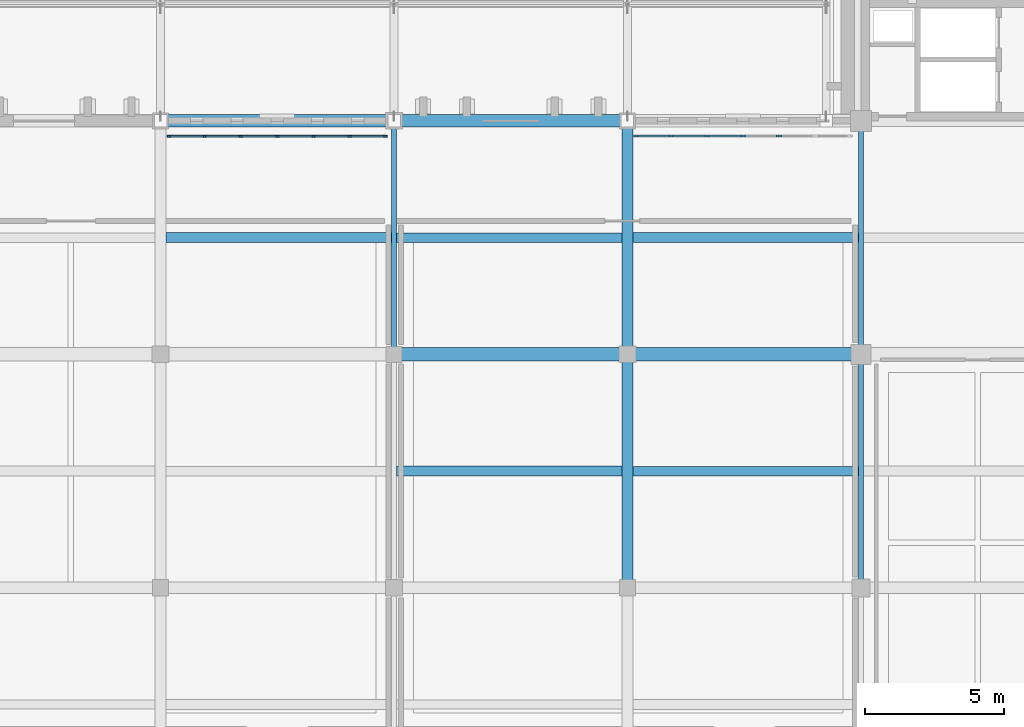
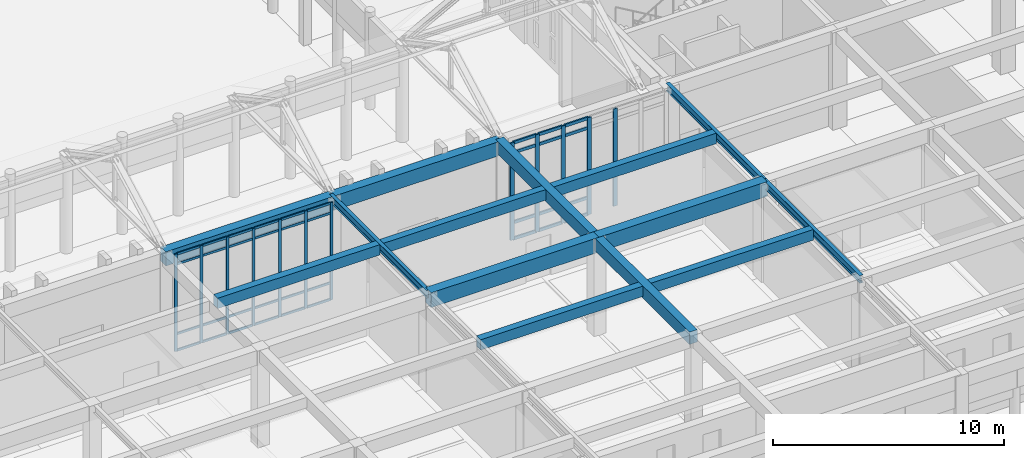
# One storey, part 36 of 143: 48 members, 14 beams, 2 elements without a shape of their own.
"""IFC4 building model written with IfcOpenShell, lengths in metres."""

from ifc_helpers import new_model, si_unit, direction, frame, origin, origin_2d, place, context, subcontext, project, spatial, rectangle, i_section, extrude, material, layer, layer_set, material_profile, profile_set, type_object, element, aggregate, save


model = new_model("IFC4")

# Units and contexts
model_context = context("Model", 3, precision=1e-05, world=origin(), true_north=direction((0.0, 1.0)))
body_context = subcontext(model_context, "Body", "Model", "MODEL_VIEW")
ifc_project = project(units=[si_unit("LENGTHUNIT", "METRE"), si_unit("AREAUNIT", "SQUARE_METRE"), si_unit("VOLUMEUNIT", "CUBIC_METRE"), si_unit("PLANEANGLEUNIT", "RADIAN"), si_unit("MASSUNIT", "GRAM", prefix="KILO")], contexts=[model_context])

# Site, building, storey
site_placement = place(None, origin())
site = spatial("IfcSite", under=ifc_project, at=site_placement, CompositionType="ELEMENT")
building_placement = place(site_placement, origin())
building = spatial("IfcBuilding", under=site, at=building_placement, Name="Kveldsbrygga Polytechnic", CompositionType="ELEMENT")
storey_placement = place(building_placement, origin())
storey = spatial("IfcBuildingStorey", under=building, at=storey_placement, Name="L00", CompositionType="ELEMENT", Elevation=0.0)

# Beams
ifc_material_1 = material(Name="Concrete C35/45", Category="concrete")
ifc_material_profile_1 = material_profile(ifc_material_1, rectangle(XDim=0.39990234375, YDim=0.64990234375, at=origin_2d()), Name="RC 400x650")
ifc_profile_set_1 = profile_set([ifc_material_profile_1], Name="Concrete C35/45")
beam_type_1 = type_object("IfcBeamType", Name="BM-RC-400x650", PredefinedType="BEAM", material=ifc_profile_set_1)
beam_1_placement = place(storey_placement, frame((117.60009765625, 8.39990234375, 4.81494140625), z_axis=(0.0, 1.0, 0.0), x_axis=(-1.0, 0.0, 0.0)))
element("IfcBeam", 1, at=beam_1_placement, inside=storey, type_object=beam_type_1, Name="Primary Beam BMY-L00-14-01to02", PredefinedType="BEAM", context=body_context, shape_type="SweptSolid", body=[
    extrude(rectangle(XDim=0.39990234375, YDim=0.64990234375, at=origin_2d()), origin(), (0.0, 0.0, 1.0), 8.400146484375),
])
beam_2_placement = place(storey_placement, frame((117.60009765625, 16.800048828125, 4.81494140625), z_axis=(0.0, 1.0, 0.0), x_axis=(-1.0, 0.0, 0.0)))
element("IfcBeam", 2, at=beam_2_placement, inside=storey, type_object=beam_type_1, Name="Primary Beam BMY-L00-14-02to03", PredefinedType="BEAM", context=body_context, shape_type="SweptSolid", body=[
    extrude(rectangle(XDim=0.39990234375, YDim=0.64990234375, at=origin_2d()), origin(), (0.0, 0.0, 1.0), 8.39990234375),
])
ifc_material_profile_2 = material_profile(ifc_material_1, rectangle(XDim=0.449951171875, YDim=0.75, at=origin_2d()), Name="RC 450x750")
ifc_profile_set_2 = profile_set([ifc_material_profile_2], Name="Concrete C35/45")
beam_type_2 = type_object("IfcBeamType", Name="BM-RC-450x750", PredefinedType="BEAM", material=ifc_profile_set_2)
beam_3_placement = place(storey_placement, frame((100.800048828125, 25.199951171875, 4.764892578125), z_axis=(1.0, 0.0, 0.0), x_axis=(0.0, 1.0, 0.0)))
element("IfcBeam", 3, at=beam_3_placement, inside=storey, type_object=beam_type_2, Name="Primary Beam BMX-L00-12to13-03", PredefinedType="BEAM", context=body_context, shape_type="SweptSolid", body=[
    extrude(rectangle(XDim=0.449951171875, YDim=0.75, at=origin_2d()), origin(), (0.0, 0.0, 1.0), 8.39990234375),
])
beam_4_placement = place(storey_placement, frame((109.199951171875, 25.199951171875, 4.764892578125), z_axis=(1.0, 0.0, 0.0), x_axis=(0.0, 1.0, 0.0)))
element("IfcBeam", 4, at=beam_4_placement, inside=storey, type_object=beam_type_2, Name="Primary Beam BMX-L00-13to14-03", PredefinedType="BEAM", context=body_context, shape_type="SweptSolid", body=[
    extrude(rectangle(XDim=0.449951171875, YDim=0.75, at=origin_2d()), origin(), (0.0, 0.0, 1.0), 8.400146484375),
])
ifc_material_profile_3 = material_profile(ifc_material_1, rectangle(XDim=0.47998046875, YDim=0.780029296875, at=origin_2d()), Name="RC 480x780")
ifc_profile_set_3 = profile_set([ifc_material_profile_3], Name="Concrete C35/45")
beam_type_3 = type_object("IfcBeamType", Name="BM-RC-480x780", PredefinedType="BEAM", material=ifc_profile_set_3)
beam_5_placement = place(storey_placement, frame((109.199951171875, 16.800048828125, 4.75), z_axis=(1.0, 0.0, 0.0), x_axis=(0.0, 1.0, 0.0)))
element("IfcBeam", 5, at=beam_5_placement, inside=storey, type_object=beam_type_3, Name="Primary Beam BMX-L00-13to14-02", PredefinedType="BEAM", context=body_context, shape_type="SweptSolid", body=[
    extrude(rectangle(XDim=0.47998046875, YDim=0.780029296875, at=origin_2d()), origin(), (0.0, 0.0, 1.0), 8.400146484375),
])
beam_6_placement = place(storey_placement, frame((117.60009765625, 16.800048828125, 4.75), z_axis=(1.0, 0.0, 0.0), x_axis=(0.0, 1.0, 0.0)))
element("IfcBeam", 6, at=beam_6_placement, inside=storey, type_object=beam_type_3, Name="Primary Beam BMX-L00-14to15-02", PredefinedType="BEAM", context=body_context, shape_type="SweptSolid", body=[
    extrude(rectangle(XDim=0.47998046875, YDim=0.780029296875, at=origin_2d()), origin(), (0.0, 0.0, 1.0), 8.39990234375),
])
ifc_material_2 = material(Name="Steel S355", Category="steel")
ifc_material_profile_4 = material_profile(ifc_material_2, i_section(OverallWidth=0.179931640625, OverallDepth=0.39990234375, WebThickness=0.008544921875, FlangeThickness=0.013427734375, FilletRadius=0.02099609375, at=origin_2d()), Name="IPE 400")
ifc_profile_set_4 = profile_set([ifc_material_profile_4], Name="Steel S355")
beam_type_4 = type_object("IfcBeamType", Name="BM-STL-IPE400", PredefinedType="BEAM", material=ifc_profile_set_4)
beam_7_placement = place(storey_placement, frame((109.199951171875, 16.800048828125, 4.93994140625), z_axis=(0.0, 1.0, 0.0), x_axis=(-1.0, 0.0, 0.0)))
element("IfcBeam", 7, at=beam_7_placement, inside=storey, type_object=beam_type_4, Name="Primary Beam BMY-L00-13-02to03", PredefinedType="BEAM", context=body_context, shape_type="SweptSolid", body=[
    extrude(i_section(OverallWidth=0.179931640625, OverallDepth=0.39990234375, WebThickness=0.008544921875, FlangeThickness=0.013427734375, FilletRadius=0.02099609375, at=origin_2d()), origin(), (0.0, 0.0, 1.0), 8.39990234375),
])
beam_8_placement = place(storey_placement, frame((126.0, 8.39990234375, 4.93994140625), z_axis=(0.0, 1.0, 0.0), x_axis=(-1.0, 0.0, 0.0)))
element("IfcBeam", 8, at=beam_8_placement, inside=storey, type_object=beam_type_4, Name="Primary Beam BMY-L00-15-01to02", PredefinedType="BEAM", context=body_context, shape_type="SweptSolid", body=[
    extrude(i_section(OverallWidth=0.179931640625, OverallDepth=0.39990234375, WebThickness=0.008544921875, FlangeThickness=0.013427734375, FilletRadius=0.02099609375, at=origin_2d()), origin(), (0.0, 0.0, 1.0), 8.400146484375),
])
beam_9_placement = place(storey_placement, frame((126.0, 16.800048828125, 4.93994140625), z_axis=(0.0, 1.0, 0.0), x_axis=(-1.0, 0.0, 0.0)))
element("IfcBeam", 9, at=beam_9_placement, inside=storey, type_object=beam_type_4, Name="Primary Beam BMY-L00-15-02to03", PredefinedType="BEAM", context=body_context, shape_type="SweptSolid", body=[
    extrude(i_section(OverallWidth=0.179931640625, OverallDepth=0.39990234375, WebThickness=0.008544921875, FlangeThickness=0.013427734375, FilletRadius=0.02099609375, at=origin_2d()), origin(), (0.0, 0.0, 1.0), 8.39990234375),
])

# Curtain wall, members
ifc_material_3 = material(Name="Anodised aluminium AW-6060", Category="aluminium")
ifc_layer_1 = layer(ifc_material_3, 0.179931640625)
ifc_layer_set_1 = layer_set([ifc_layer_1], Name="Anodised aluminium AW-6060")
curtain_wall_type_1 = type_object("IfcCurtainWallType", Name="CW-CONC-A", PredefinedType="USERDEFINED", material=ifc_layer_set_1)
curtain_wall_1_placement = place(storey_placement, origin())
curtain_wall_1 = element("IfcCurtainWall", 10, at=curtain_wall_1_placement, inside=storey, type_object=curtain_wall_type_1, Name="Curtain Wall CW-L00-X-12-03", ObjectType="UNITISED CURTAIN WALL", PredefinedType="USERDEFINED")
ifc_material_profile_5 = material_profile(ifc_material_3, rectangle(XDim=0.06005859375, YDim=0.139892578125, at=origin_2d()), Name="ALU 60x140")
ifc_profile_set_5 = profile_set([ifc_material_profile_5], Name="Anodised aluminium AW-6060")
member_type_1 = type_object("IfcMemberType", Name="CW-MUL-140", PredefinedType="MULLION", material=ifc_profile_set_5)
member_1_placement = place(storey_placement, frame((101.10498046875, 24.64990234375, 0.0), z_axis=(0.0, 0.0, 1.0), x_axis=(0.0, 1.0, 0.0)))
member_1 = element("IfcMember", 11, at=member_1_placement, type_object=member_type_1, Name="CW-01 mullion 1", PredefinedType="MULLION", context=body_context, shape_type="SweptSolid", body=[
    extrude(rectangle(XDim=0.06005859375, YDim=0.139892578125, at=origin_2d()), origin(), (0.0, 0.0, 1.0), 5.139892578125),
])
member_2_placement = place(storey_placement, frame((102.381591796875, 24.64990234375, 0.0), z_axis=(0.0, 0.0, 1.0), x_axis=(0.0, 1.0, 0.0)))
member_2 = element("IfcMember", 12, at=member_2_placement, type_object=member_type_1, Name="CW-01 mullion 2", PredefinedType="MULLION", context=body_context, shape_type="SweptSolid", body=[
    extrude(rectangle(XDim=0.06005859375, YDim=0.139892578125, at=origin_2d()), origin(), (0.0, 0.0, 1.0), 5.139892578125),
])
member_3_placement = place(storey_placement, frame((103.688232421875, 24.64990234375, 0.0), z_axis=(0.0, 0.0, 1.0), x_axis=(0.0, 1.0, 0.0)))
member_3 = element("IfcMember", 13, at=member_3_placement, type_object=member_type_1, Name="CW-01 mullion 3", PredefinedType="MULLION", context=body_context, shape_type="SweptSolid", body=[
    extrude(rectangle(XDim=0.06005859375, YDim=0.139892578125, at=origin_2d()), origin(), (0.0, 0.0, 1.0), 5.139892578125),
])
member_4_placement = place(storey_placement, frame((104.9951171875, 24.64990234375, 0.0), z_axis=(0.0, 0.0, 1.0), x_axis=(0.0, 1.0, 0.0)))
member_4 = element("IfcMember", 14, at=member_4_placement, type_object=member_type_1, Name="CW-01 mullion 4", PredefinedType="MULLION", context=body_context, shape_type="SweptSolid", body=[
    extrude(rectangle(XDim=0.06005859375, YDim=0.139892578125, at=origin_2d()), origin(), (0.0, 0.0, 1.0), 5.139892578125),
])
member_5_placement = place(storey_placement, frame((106.3017578125, 24.64990234375, 0.0), z_axis=(0.0, 0.0, 1.0), x_axis=(0.0, 1.0, 0.0)))
member_5 = element("IfcMember", 15, at=member_5_placement, type_object=member_type_1, Name="CW-01 mullion 5", PredefinedType="MULLION", context=body_context, shape_type="SweptSolid", body=[
    extrude(rectangle(XDim=0.06005859375, YDim=0.139892578125, at=origin_2d()), origin(), (0.0, 0.0, 1.0), 5.139892578125),
])
member_6_placement = place(storey_placement, frame((107.6083984375, 24.64990234375, 0.0), z_axis=(0.0, 0.0, 1.0), x_axis=(0.0, 1.0, 0.0)))
member_6 = element("IfcMember", 16, at=member_6_placement, type_object=member_type_1, Name="CW-01 mullion 6", PredefinedType="MULLION", context=body_context, shape_type="SweptSolid", body=[
    extrude(rectangle(XDim=0.06005859375, YDim=0.139892578125, at=origin_2d()), origin(), (0.0, 0.0, 1.0), 5.139892578125),
])
member_7_placement = place(storey_placement, frame((108.885009765625, 24.64990234375, 0.0), z_axis=(0.0, 0.0, 1.0), x_axis=(0.0, 1.0, 0.0)))
member_7 = element("IfcMember", 17, at=member_7_placement, type_object=member_type_1, Name="CW-01 mullion 7", PredefinedType="MULLION", context=body_context, shape_type="SweptSolid", body=[
    extrude(rectangle(XDim=0.06005859375, YDim=0.139892578125, at=origin_2d()), origin(), (0.0, 0.0, 1.0), 5.139892578125),
])

ifc_layer_2 = layer(ifc_material_3, 0.159912109375)
ifc_layer_set_2 = layer_set([ifc_layer_2], Name="Anodised aluminium AW-6060")
curtain_wall_type_2 = type_object("IfcCurtainWallType", Name="CW-CLER-C", PredefinedType="USERDEFINED", material=ifc_layer_set_2)
curtain_wall_2_placement = place(storey_placement, origin())
curtain_wall_2 = element("IfcCurtainWall", 18, at=curtain_wall_2_placement, inside=storey, type_object=curtain_wall_type_2, Name="Curtain Wall CW-L00-X-14-03", ObjectType="STICK CURTAIN WALL", PredefinedType="USERDEFINED")
ifc_material_profile_6 = material_profile(ifc_material_3, rectangle(XDim=0.074951171875, YDim=0.199951171875, at=origin_2d()), Name="ALU 75x200")
ifc_profile_set_6 = profile_set([ifc_material_profile_6], Name="Anodised aluminium AW-6060")
member_type_2 = type_object("IfcMemberType", Name="CW-MUL-200", PredefinedType="MULLION", material=ifc_profile_set_6)
member_8_placement = place(storey_placement, frame((117.91259765625, 24.64990234375, 0.0), z_axis=(0.0, 0.0, 1.0), x_axis=(0.0, 1.0, 0.0)))
member_8 = element("IfcMember", 19, at=member_8_placement, type_object=member_type_2, Name="CW-03 mullion 1", PredefinedType="MULLION", context=body_context, shape_type="SweptSolid", body=[
    extrude(rectangle(XDim=0.074951171875, YDim=0.199951171875, at=origin_2d()), origin(), (0.0, 0.0, 1.0), 5.139892578125),
])
member_9_placement = place(storey_placement, frame((119.169189453125, 24.64990234375, 0.0), z_axis=(0.0, 0.0, 1.0), x_axis=(0.0, 1.0, 0.0)))
member_9 = element("IfcMember", 20, at=member_9_placement, type_object=member_type_2, Name="CW-03 mullion 2", PredefinedType="MULLION", context=body_context, shape_type="SweptSolid", body=[
    extrude(rectangle(XDim=0.074951171875, YDim=0.199951171875, at=origin_2d()), origin(), (0.0, 0.0, 1.0), 5.139892578125),
])
member_10_placement = place(storey_placement, frame((120.46337890625, 24.64990234375, 0.0), z_axis=(0.0, 0.0, 1.0), x_axis=(0.0, 1.0, 0.0)))
member_10 = element("IfcMember", 21, at=member_10_placement, type_object=member_type_2, Name="CW-03 mullion 3", PredefinedType="MULLION", context=body_context, shape_type="SweptSolid", body=[
    extrude(rectangle(XDim=0.074951171875, YDim=0.199951171875, at=origin_2d()), origin(), (0.0, 0.0, 1.0), 5.139892578125),
])
member_11_placement = place(storey_placement, frame((121.757568359375, 24.64990234375, 0.0), z_axis=(0.0, 0.0, 1.0), x_axis=(0.0, 1.0, 0.0)))
member_11 = element("IfcMember", 22, at=member_11_placement, type_object=member_type_2, Name="CW-03 mullion 4", PredefinedType="MULLION", context=body_context, shape_type="SweptSolid", body=[
    extrude(rectangle(XDim=0.074951171875, YDim=0.199951171875, at=origin_2d()), origin(), (0.0, 0.0, 1.0), 5.139892578125),
])
member_12_placement = place(storey_placement, frame((123.0517578125, 24.64990234375, 0.0), z_axis=(0.0, 0.0, 1.0), x_axis=(0.0, 1.0, 0.0)))
member_12 = element("IfcMember", 23, at=member_12_placement, type_object=member_type_2, Name="CW-03 mullion 5", PredefinedType="MULLION", context=body_context, shape_type="SweptSolid", body=[
    extrude(rectangle(XDim=0.074951171875, YDim=0.199951171875, at=origin_2d()), origin(), (0.0, 0.0, 1.0), 5.139892578125),
])

# Member
ifc_material_profile_7 = material_profile(ifc_material_3, rectangle(XDim=0.06005859375, YDim=0.1201171875, at=origin_2d()), Name="ALU 60x120")
ifc_profile_set_7 = profile_set([ifc_material_profile_7], Name="Anodised aluminium AW-6060")
member_type_3 = type_object("IfcMemberType", Name="CW-TRN-120", PredefinedType="USERDEFINED", material=ifc_profile_set_7)
member_13_placement = place(storey_placement, frame((101.135009765625, 24.64990234375, 0.030029296875), z_axis=(1.0, 0.0, 0.0), x_axis=(0.0, 1.0, 0.0)))
member_13 = element("IfcMember", 24, at=member_13_placement, type_object=member_type_3, Name="CW-01 transom 1.1", ObjectType="TRANSOM", PredefinedType="USERDEFINED", context=body_context, shape_type="SweptSolid", body=[
    extrude(rectangle(XDim=0.06005859375, YDim=0.1201171875, at=origin_2d()), origin(), (0.0, 0.0, 1.0), 1.216552734375),
])

member_14_placement = place(storey_placement, frame((101.135009765625, 24.64990234375, 0.89990234375), z_axis=(1.0, 0.0, 0.0), x_axis=(0.0, 1.0, 0.0)))
member_14 = element("IfcMember", 25, at=member_14_placement, type_object=member_type_3, Name="CW-01 transom 1.2", ObjectType="TRANSOM", PredefinedType="USERDEFINED", context=body_context, shape_type="SweptSolid", body=[
    extrude(rectangle(XDim=0.06005859375, YDim=0.1201171875, at=origin_2d()), origin(), (0.0, 0.0, 1.0), 1.216552734375),
])

member_15_placement = place(storey_placement, frame((101.135009765625, 24.64990234375, 4.590087890625), z_axis=(1.0, 0.0, 0.0), x_axis=(0.0, 1.0, 0.0)))
member_15 = element("IfcMember", 26, at=member_15_placement, type_object=member_type_3, Name="CW-01 transom 1.3", ObjectType="TRANSOM", PredefinedType="USERDEFINED", context=body_context, shape_type="SweptSolid", body=[
    extrude(rectangle(XDim=0.06005859375, YDim=0.1201171875, at=origin_2d()), origin(), (0.0, 0.0, 1.0), 1.216552734375),
])

member_16_placement = place(storey_placement, frame((101.135009765625, 24.64990234375, 5.110107421875), z_axis=(1.0, 0.0, 0.0), x_axis=(0.0, 1.0, 0.0)))
member_16 = element("IfcMember", 27, at=member_16_placement, type_object=member_type_3, Name="CW-01 transom 1.4", ObjectType="TRANSOM", PredefinedType="USERDEFINED", context=body_context, shape_type="SweptSolid", body=[
    extrude(rectangle(XDim=0.06005859375, YDim=0.1201171875, at=origin_2d()), origin(), (0.0, 0.0, 1.0), 1.216552734375),
])

member_17_placement = place(storey_placement, frame((102.41162109375, 24.64990234375, 0.030029296875), z_axis=(1.0, 0.0, 0.0), x_axis=(0.0, 1.0, 0.0)))
member_17 = element("IfcMember", 28, at=member_17_placement, type_object=member_type_3, Name="CW-01 transom 2.1", ObjectType="TRANSOM", PredefinedType="USERDEFINED", context=body_context, shape_type="SweptSolid", body=[
    extrude(rectangle(XDim=0.06005859375, YDim=0.1201171875, at=origin_2d()), origin(), (0.0, 0.0, 1.0), 1.246826171875),
])

member_18_placement = place(storey_placement, frame((102.41162109375, 24.64990234375, 0.89990234375), z_axis=(1.0, 0.0, 0.0), x_axis=(0.0, 1.0, 0.0)))
member_18 = element("IfcMember", 29, at=member_18_placement, type_object=member_type_3, Name="CW-01 transom 2.2", ObjectType="TRANSOM", PredefinedType="USERDEFINED", context=body_context, shape_type="SweptSolid", body=[
    extrude(rectangle(XDim=0.06005859375, YDim=0.1201171875, at=origin_2d()), origin(), (0.0, 0.0, 1.0), 1.246826171875),
])

member_19_placement = place(storey_placement, frame((102.41162109375, 24.64990234375, 4.590087890625), z_axis=(1.0, 0.0, 0.0), x_axis=(0.0, 1.0, 0.0)))
member_19 = element("IfcMember", 30, at=member_19_placement, type_object=member_type_3, Name="CW-01 transom 2.3", ObjectType="TRANSOM", PredefinedType="USERDEFINED", context=body_context, shape_type="SweptSolid", body=[
    extrude(rectangle(XDim=0.06005859375, YDim=0.1201171875, at=origin_2d()), origin(), (0.0, 0.0, 1.0), 1.246826171875),
])

member_20_placement = place(storey_placement, frame((102.41162109375, 24.64990234375, 5.110107421875), z_axis=(1.0, 0.0, 0.0), x_axis=(0.0, 1.0, 0.0)))
member_20 = element("IfcMember", 31, at=member_20_placement, type_object=member_type_3, Name="CW-01 transom 2.4", ObjectType="TRANSOM", PredefinedType="USERDEFINED", context=body_context, shape_type="SweptSolid", body=[
    extrude(rectangle(XDim=0.06005859375, YDim=0.1201171875, at=origin_2d()), origin(), (0.0, 0.0, 1.0), 1.246826171875),
])

member_21_placement = place(storey_placement, frame((103.71826171875, 24.64990234375, 0.030029296875), z_axis=(1.0, 0.0, 0.0), x_axis=(0.0, 1.0, 0.0)))
member_21 = element("IfcMember", 32, at=member_21_placement, type_object=member_type_3, Name="CW-01 transom 3.1", ObjectType="TRANSOM", PredefinedType="USERDEFINED", context=body_context, shape_type="SweptSolid", body=[
    extrude(rectangle(XDim=0.06005859375, YDim=0.1201171875, at=origin_2d()), origin(), (0.0, 0.0, 1.0), 1.246826171875),
])

member_22_placement = place(storey_placement, frame((103.71826171875, 24.64990234375, 0.89990234375), z_axis=(1.0, 0.0, 0.0), x_axis=(0.0, 1.0, 0.0)))
member_22 = element("IfcMember", 33, at=member_22_placement, type_object=member_type_3, Name="CW-01 transom 3.2", ObjectType="TRANSOM", PredefinedType="USERDEFINED", context=body_context, shape_type="SweptSolid", body=[
    extrude(rectangle(XDim=0.06005859375, YDim=0.1201171875, at=origin_2d()), origin(), (0.0, 0.0, 1.0), 1.246826171875),
])

member_23_placement = place(storey_placement, frame((103.71826171875, 24.64990234375, 4.590087890625), z_axis=(1.0, 0.0, 0.0), x_axis=(0.0, 1.0, 0.0)))
member_23 = element("IfcMember", 34, at=member_23_placement, type_object=member_type_3, Name="CW-01 transom 3.3", ObjectType="TRANSOM", PredefinedType="USERDEFINED", context=body_context, shape_type="SweptSolid", body=[
    extrude(rectangle(XDim=0.06005859375, YDim=0.1201171875, at=origin_2d()), origin(), (0.0, 0.0, 1.0), 1.246826171875),
])

member_24_placement = place(storey_placement, frame((103.71826171875, 24.64990234375, 5.110107421875), z_axis=(1.0, 0.0, 0.0), x_axis=(0.0, 1.0, 0.0)))
member_24 = element("IfcMember", 35, at=member_24_placement, type_object=member_type_3, Name="CW-01 transom 3.4", ObjectType="TRANSOM", PredefinedType="USERDEFINED", context=body_context, shape_type="SweptSolid", body=[
    extrude(rectangle(XDim=0.06005859375, YDim=0.1201171875, at=origin_2d()), origin(), (0.0, 0.0, 1.0), 1.246826171875),
])

member_25_placement = place(storey_placement, frame((105.02490234375, 24.64990234375, 0.030029296875), z_axis=(1.0, 0.0, 0.0), x_axis=(0.0, 1.0, 0.0)))
member_25 = element("IfcMember", 36, at=member_25_placement, type_object=member_type_3, Name="CW-01 transom 4.1", ObjectType="TRANSOM", PredefinedType="USERDEFINED", context=body_context, shape_type="SweptSolid", body=[
    extrude(rectangle(XDim=0.06005859375, YDim=0.1201171875, at=origin_2d()), origin(), (0.0, 0.0, 1.0), 1.246826171875),
])

member_26_placement = place(storey_placement, frame((105.02490234375, 24.64990234375, 0.89990234375), z_axis=(1.0, 0.0, 0.0), x_axis=(0.0, 1.0, 0.0)))
member_26 = element("IfcMember", 37, at=member_26_placement, type_object=member_type_3, Name="CW-01 transom 4.2", ObjectType="TRANSOM", PredefinedType="USERDEFINED", context=body_context, shape_type="SweptSolid", body=[
    extrude(rectangle(XDim=0.06005859375, YDim=0.1201171875, at=origin_2d()), origin(), (0.0, 0.0, 1.0), 1.246826171875),
])

member_27_placement = place(storey_placement, frame((105.02490234375, 24.64990234375, 4.590087890625), z_axis=(1.0, 0.0, 0.0), x_axis=(0.0, 1.0, 0.0)))
member_27 = element("IfcMember", 38, at=member_27_placement, type_object=member_type_3, Name="CW-01 transom 4.3", ObjectType="TRANSOM", PredefinedType="USERDEFINED", context=body_context, shape_type="SweptSolid", body=[
    extrude(rectangle(XDim=0.06005859375, YDim=0.1201171875, at=origin_2d()), origin(), (0.0, 0.0, 1.0), 1.246826171875),
])

member_28_placement = place(storey_placement, frame((105.02490234375, 24.64990234375, 5.110107421875), z_axis=(1.0, 0.0, 0.0), x_axis=(0.0, 1.0, 0.0)))
member_28 = element("IfcMember", 39, at=member_28_placement, type_object=member_type_3, Name="CW-01 transom 4.4", ObjectType="TRANSOM", PredefinedType="USERDEFINED", context=body_context, shape_type="SweptSolid", body=[
    extrude(rectangle(XDim=0.06005859375, YDim=0.1201171875, at=origin_2d()), origin(), (0.0, 0.0, 1.0), 1.246826171875),
])

member_29_placement = place(storey_placement, frame((106.331787109375, 24.64990234375, 0.030029296875), z_axis=(1.0, 0.0, 0.0), x_axis=(0.0, 1.0, 0.0)))
member_29 = element("IfcMember", 40, at=member_29_placement, type_object=member_type_3, Name="CW-01 transom 5.1", ObjectType="TRANSOM", PredefinedType="USERDEFINED", context=body_context, shape_type="SweptSolid", body=[
    extrude(rectangle(XDim=0.06005859375, YDim=0.1201171875, at=origin_2d()), origin(), (0.0, 0.0, 1.0), 1.24658203125),
])

member_30_placement = place(storey_placement, frame((106.331787109375, 24.64990234375, 0.89990234375), z_axis=(1.0, 0.0, 0.0), x_axis=(0.0, 1.0, 0.0)))
member_30 = element("IfcMember", 41, at=member_30_placement, type_object=member_type_3, Name="CW-01 transom 5.2", ObjectType="TRANSOM", PredefinedType="USERDEFINED", context=body_context, shape_type="SweptSolid", body=[
    extrude(rectangle(XDim=0.06005859375, YDim=0.1201171875, at=origin_2d()), origin(), (0.0, 0.0, 1.0), 1.24658203125),
])

member_31_placement = place(storey_placement, frame((106.331787109375, 24.64990234375, 4.590087890625), z_axis=(1.0, 0.0, 0.0), x_axis=(0.0, 1.0, 0.0)))
member_31 = element("IfcMember", 42, at=member_31_placement, type_object=member_type_3, Name="CW-01 transom 5.3", ObjectType="TRANSOM", PredefinedType="USERDEFINED", context=body_context, shape_type="SweptSolid", body=[
    extrude(rectangle(XDim=0.06005859375, YDim=0.1201171875, at=origin_2d()), origin(), (0.0, 0.0, 1.0), 1.24658203125),
])

member_32_placement = place(storey_placement, frame((106.331787109375, 24.64990234375, 5.110107421875), z_axis=(1.0, 0.0, 0.0), x_axis=(0.0, 1.0, 0.0)))
member_32 = element("IfcMember", 43, at=member_32_placement, type_object=member_type_3, Name="CW-01 transom 5.4", ObjectType="TRANSOM", PredefinedType="USERDEFINED", context=body_context, shape_type="SweptSolid", body=[
    extrude(rectangle(XDim=0.06005859375, YDim=0.1201171875, at=origin_2d()), origin(), (0.0, 0.0, 1.0), 1.24658203125),
])

member_33_placement = place(storey_placement, frame((107.638427734375, 24.64990234375, 0.030029296875), z_axis=(1.0, 0.0, 0.0), x_axis=(0.0, 1.0, 0.0)))
member_33 = element("IfcMember", 44, at=member_33_placement, type_object=member_type_3, Name="CW-01 transom 6.1", ObjectType="TRANSOM", PredefinedType="USERDEFINED", context=body_context, shape_type="SweptSolid", body=[
    extrude(rectangle(XDim=0.06005859375, YDim=0.1201171875, at=origin_2d()), origin(), (0.0, 0.0, 1.0), 1.216552734375),
])

member_34_placement = place(storey_placement, frame((107.638427734375, 24.64990234375, 0.89990234375), z_axis=(1.0, 0.0, 0.0), x_axis=(0.0, 1.0, 0.0)))
member_34 = element("IfcMember", 45, at=member_34_placement, type_object=member_type_3, Name="CW-01 transom 6.2", ObjectType="TRANSOM", PredefinedType="USERDEFINED", context=body_context, shape_type="SweptSolid", body=[
    extrude(rectangle(XDim=0.06005859375, YDim=0.1201171875, at=origin_2d()), origin(), (0.0, 0.0, 1.0), 1.216552734375),
])

member_35_placement = place(storey_placement, frame((107.638427734375, 24.64990234375, 4.590087890625), z_axis=(1.0, 0.0, 0.0), x_axis=(0.0, 1.0, 0.0)))
member_35 = element("IfcMember", 46, at=member_35_placement, type_object=member_type_3, Name="CW-01 transom 6.3", ObjectType="TRANSOM", PredefinedType="USERDEFINED", context=body_context, shape_type="SweptSolid", body=[
    extrude(rectangle(XDim=0.06005859375, YDim=0.1201171875, at=origin_2d()), origin(), (0.0, 0.0, 1.0), 1.216552734375),
])

member_36_placement = place(storey_placement, frame((107.638427734375, 24.64990234375, 5.110107421875), z_axis=(1.0, 0.0, 0.0), x_axis=(0.0, 1.0, 0.0)))
member_36 = element("IfcMember", 47, at=member_36_placement, type_object=member_type_3, Name="CW-01 transom 6.4", ObjectType="TRANSOM", PredefinedType="USERDEFINED", context=body_context, shape_type="SweptSolid", body=[
    extrude(rectangle(XDim=0.06005859375, YDim=0.1201171875, at=origin_2d()), origin(), (0.0, 0.0, 1.0), 1.216552734375),
])

aggregate(curtain_wall_1, [member_1, member_2, member_3, member_4, member_5, member_6, member_7, member_13, member_14, member_15, member_16, member_17, member_18, member_19, member_20, member_21, member_22, member_23, member_24, member_25, member_26, member_27, member_28, member_29, member_30, member_31, member_32, member_33, member_34, member_35, member_36])

ifc_material_profile_8 = material_profile(ifc_material_3, rectangle(XDim=0.074951171875, YDim=0.159912109375, at=origin_2d()), Name="ALU 75x160")
ifc_profile_set_8 = profile_set([ifc_material_profile_8], Name="Anodised aluminium AW-6060")
member_type_4 = type_object("IfcMemberType", Name="CW-TRN-160", PredefinedType="USERDEFINED", material=ifc_profile_set_8)
member_37_placement = place(storey_placement, frame((117.949951171875, 24.64990234375, 0.03759765625), z_axis=(1.0, 0.0, 0.0), x_axis=(0.0, 1.0, 0.0)))
member_37 = element("IfcMember", 48, at=member_37_placement, type_object=member_type_4, Name="CW-03 transom 1.1", ObjectType="TRANSOM", PredefinedType="USERDEFINED", context=body_context, shape_type="SweptSolid", body=[
    extrude(rectangle(XDim=0.074951171875, YDim=0.159912109375, at=origin_2d()), origin(), (0.0, 0.0, 1.0), 1.181640625),
])

member_38_placement = place(storey_placement, frame((117.949951171875, 24.64990234375, 0.89990234375), z_axis=(1.0, 0.0, 0.0), x_axis=(0.0, 1.0, 0.0)))
member_38 = element("IfcMember", 49, at=member_38_placement, type_object=member_type_4, Name="CW-03 transom 1.2", ObjectType="TRANSOM", PredefinedType="USERDEFINED", context=body_context, shape_type="SweptSolid", body=[
    extrude(rectangle(XDim=0.074951171875, YDim=0.159912109375, at=origin_2d()), origin(), (0.0, 0.0, 1.0), 1.181640625),
])

member_39_placement = place(storey_placement, frame((117.949951171875, 24.64990234375, 4.590087890625), z_axis=(1.0, 0.0, 0.0), x_axis=(0.0, 1.0, 0.0)))
member_39 = element("IfcMember", 50, at=member_39_placement, type_object=member_type_4, Name="CW-03 transom 1.3", ObjectType="TRANSOM", PredefinedType="USERDEFINED", context=body_context, shape_type="SweptSolid", body=[
    extrude(rectangle(XDim=0.074951171875, YDim=0.159912109375, at=origin_2d()), origin(), (0.0, 0.0, 1.0), 1.181640625),
])

member_40_placement = place(storey_placement, frame((117.949951171875, 24.64990234375, 5.1025390625), z_axis=(1.0, 0.0, 0.0), x_axis=(0.0, 1.0, 0.0)))
member_40 = element("IfcMember", 51, at=member_40_placement, type_object=member_type_4, Name="CW-03 transom 1.4", ObjectType="TRANSOM", PredefinedType="USERDEFINED", context=body_context, shape_type="SweptSolid", body=[
    extrude(rectangle(XDim=0.074951171875, YDim=0.159912109375, at=origin_2d()), origin(), (0.0, 0.0, 1.0), 1.181640625),
])

member_41_placement = place(storey_placement, frame((119.206787109375, 24.64990234375, 0.03759765625), z_axis=(1.0, 0.0, 0.0), x_axis=(0.0, 1.0, 0.0)))
member_41 = element("IfcMember", 52, at=member_41_placement, type_object=member_type_4, Name="CW-03 transom 2.1", ObjectType="TRANSOM", PredefinedType="USERDEFINED", context=body_context, shape_type="SweptSolid", body=[
    extrude(rectangle(XDim=0.074951171875, YDim=0.159912109375, at=origin_2d()), origin(), (0.0, 0.0, 1.0), 1.218994140625),
])

member_42_placement = place(storey_placement, frame((119.206787109375, 24.64990234375, 0.89990234375), z_axis=(1.0, 0.0, 0.0), x_axis=(0.0, 1.0, 0.0)))
member_42 = element("IfcMember", 53, at=member_42_placement, type_object=member_type_4, Name="CW-03 transom 2.2", ObjectType="TRANSOM", PredefinedType="USERDEFINED", context=body_context, shape_type="SweptSolid", body=[
    extrude(rectangle(XDim=0.074951171875, YDim=0.159912109375, at=origin_2d()), origin(), (0.0, 0.0, 1.0), 1.218994140625),
])

member_43_placement = place(storey_placement, frame((119.206787109375, 24.64990234375, 4.590087890625), z_axis=(1.0, 0.0, 0.0), x_axis=(0.0, 1.0, 0.0)))
member_43 = element("IfcMember", 54, at=member_43_placement, type_object=member_type_4, Name="CW-03 transom 2.3", ObjectType="TRANSOM", PredefinedType="USERDEFINED", context=body_context, shape_type="SweptSolid", body=[
    extrude(rectangle(XDim=0.074951171875, YDim=0.159912109375, at=origin_2d()), origin(), (0.0, 0.0, 1.0), 1.218994140625),
])

member_44_placement = place(storey_placement, frame((119.206787109375, 24.64990234375, 5.1025390625), z_axis=(1.0, 0.0, 0.0), x_axis=(0.0, 1.0, 0.0)))
member_44 = element("IfcMember", 55, at=member_44_placement, type_object=member_type_4, Name="CW-03 transom 2.4", ObjectType="TRANSOM", PredefinedType="USERDEFINED", context=body_context, shape_type="SweptSolid", body=[
    extrude(rectangle(XDim=0.074951171875, YDim=0.159912109375, at=origin_2d()), origin(), (0.0, 0.0, 1.0), 1.218994140625),
])

member_45_placement = place(storey_placement, frame((120.500732421875, 24.64990234375, 0.03759765625), z_axis=(1.0, 0.0, 0.0), x_axis=(0.0, 1.0, 0.0)))
member_45 = element("IfcMember", 56, at=member_45_placement, type_object=member_type_4, Name="CW-03 transom 3.1", ObjectType="TRANSOM", PredefinedType="USERDEFINED", context=body_context, shape_type="SweptSolid", body=[
    extrude(rectangle(XDim=0.074951171875, YDim=0.159912109375, at=origin_2d()), origin(), (0.0, 0.0, 1.0), 1.21923828125),
])

member_46_placement = place(storey_placement, frame((120.500732421875, 24.64990234375, 0.89990234375), z_axis=(1.0, 0.0, 0.0), x_axis=(0.0, 1.0, 0.0)))
member_46 = element("IfcMember", 57, at=member_46_placement, type_object=member_type_4, Name="CW-03 transom 3.2", ObjectType="TRANSOM", PredefinedType="USERDEFINED", context=body_context, shape_type="SweptSolid", body=[
    extrude(rectangle(XDim=0.074951171875, YDim=0.159912109375, at=origin_2d()), origin(), (0.0, 0.0, 1.0), 1.21923828125),
])

member_47_placement = place(storey_placement, frame((120.500732421875, 24.64990234375, 4.590087890625), z_axis=(1.0, 0.0, 0.0), x_axis=(0.0, 1.0, 0.0)))
member_47 = element("IfcMember", 58, at=member_47_placement, type_object=member_type_4, Name="CW-03 transom 3.3", ObjectType="TRANSOM", PredefinedType="USERDEFINED", context=body_context, shape_type="SweptSolid", body=[
    extrude(rectangle(XDim=0.074951171875, YDim=0.159912109375, at=origin_2d()), origin(), (0.0, 0.0, 1.0), 1.21923828125),
])

member_48_placement = place(storey_placement, frame((120.500732421875, 24.64990234375, 5.1025390625), z_axis=(1.0, 0.0, 0.0), x_axis=(0.0, 1.0, 0.0)))
member_48 = element("IfcMember", 59, at=member_48_placement, type_object=member_type_4, Name="CW-03 transom 3.4", ObjectType="TRANSOM", PredefinedType="USERDEFINED", context=body_context, shape_type="SweptSolid", body=[
    extrude(rectangle(XDim=0.074951171875, YDim=0.159912109375, at=origin_2d()), origin(), (0.0, 0.0, 1.0), 1.21923828125),
])

aggregate(curtain_wall_2, [member_8, member_9, member_10, member_11, member_12, member_37, member_38, member_39, member_40, member_41, member_42, member_43, member_44, member_45, member_46, member_47, member_48])

# Beams
ifc_material_profile_9 = material_profile(ifc_material_1, rectangle(XDim=0.340087890625, YDim=0.56005859375, at=origin_2d()), Name="RC 340x560")
ifc_profile_set_9 = profile_set([ifc_material_profile_9], Name="Concrete C35/45")
beam_type_5 = type_object("IfcBeamType", Name="JST-RC-340x560", PredefinedType="JOIST", material=ifc_profile_set_9)
for number, where, z_axis, x_axis, name in (
    (60, (109.2900390625, 21.0, 4.860107421875), (1.0, 0.0, 0.0), (0.0, 1.0, 0.0), "Secondary Joist JST-L00-13-02"),
    (61, (117.800048828125, 12.60009765625, 4.860107421875), (1.0, 0.0, 0.0), (0.0, 1.0, 0.0), "Secondary Joist JST-L00-14-01"),
):
    element("IfcBeam", number, at=place(storey_placement, frame(where, z_axis=z_axis, x_axis=x_axis)), inside=storey, type_object=beam_type_5, Name=name, PredefinedType="JOIST", context=body_context, shape_type="SweptSolid", body=[
        extrude(rectangle(XDim=0.340087890625, YDim=0.56005859375, at=origin_2d()), origin(), (0.0, 0.0, 1.0), 8.10986328125),
    ])
ifc_material_profile_10 = material_profile(ifc_material_1, rectangle(XDim=0.35009765625, YDim=0.550048828125, at=origin_2d()), Name="RC 350x550")
ifc_profile_set_10 = profile_set([ifc_material_profile_10], Name="Concrete C35/45")
beam_type_6 = type_object("IfcBeamType", Name="JST-RC-350x550", PredefinedType="JOIST", material=ifc_profile_set_10)
beam_10_placement = place(storey_placement, frame((101.0, 21.0, 4.864990234375), z_axis=(1.0, 0.0, 0.0), x_axis=(0.0, 1.0, 0.0)))
element("IfcBeam", 62, at=beam_10_placement, inside=storey, type_object=beam_type_6, Name="Secondary Joist JST-L00-12-02", PredefinedType="JOIST", context=body_context, shape_type="SweptSolid", body=[
    extrude(rectangle(XDim=0.35009765625, YDim=0.550048828125, at=origin_2d()), origin(), (0.0, 0.0, 1.0), 8.110107421875),
])
for number, where, z_axis, x_axis, name in (
    (63, (109.2900390625, 12.60009765625, 4.864990234375), (1.0, 0.0, 0.0), (0.0, 1.0, 0.0), "Secondary Joist JST-L00-13-01"),
    (64, (117.800048828125, 21.0, 4.864990234375), (1.0, 0.0, 0.0), (0.0, 1.0, 0.0), "Secondary Joist JST-L00-14-02"),
):
    element("IfcBeam", number, at=place(storey_placement, frame(where, z_axis=z_axis, x_axis=x_axis)), inside=storey, type_object=beam_type_6, Name=name, PredefinedType="JOIST", context=body_context, shape_type="SweptSolid", body=[
        extrude(rectangle(XDim=0.35009765625, YDim=0.550048828125, at=origin_2d()), origin(), (0.0, 0.0, 1.0), 8.10986328125),
    ])

save(model, "model.ifc")
